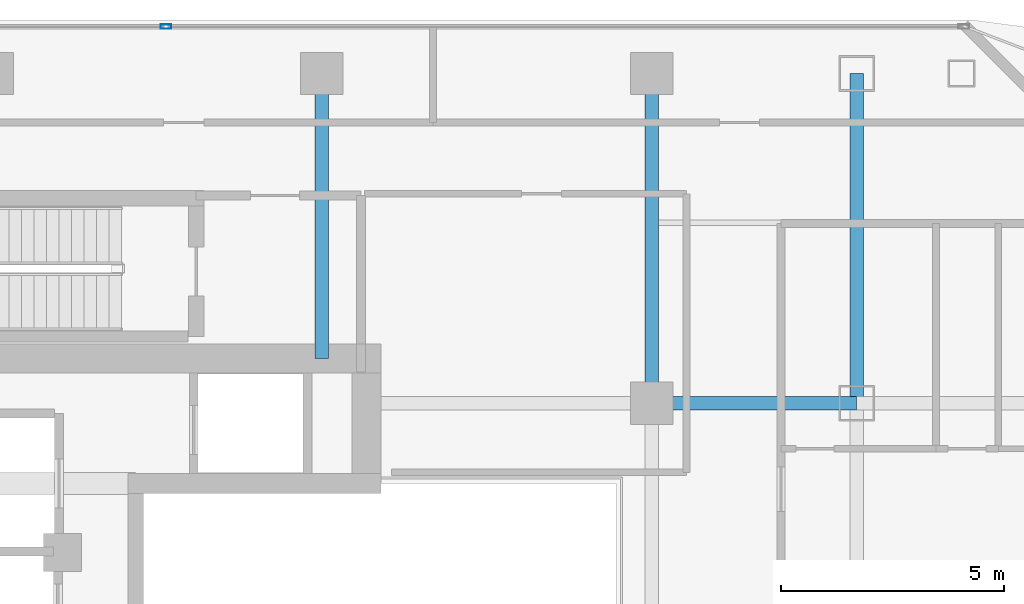
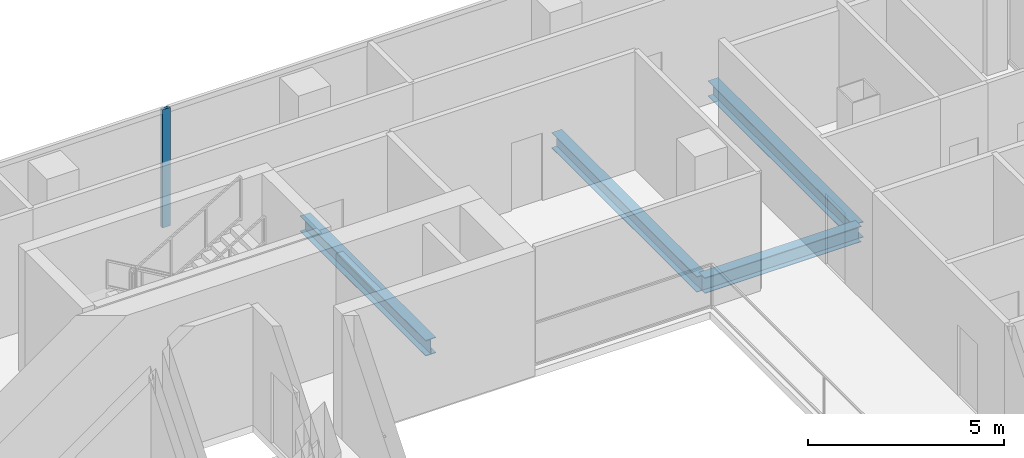
# One storey, part 15 of 27: 4 beams, 1 member, 1 element without a shape of its own.
"""IFC4 building model written with IfcOpenShell, lengths in metres."""

from ifc_helpers import new_model, si_unit, direction, frame, origin, origin_2d, place, context, subcontext, project, spatial, hollow_rectangle, i_section, extrude, material, layer, layer_set, material_profile, profile_set, type_object, element, aggregate, save


model = new_model("IFC4")

# Units and contexts
model_context = context("Model", 3, precision=1e-05, world=origin(), true_north=direction((0.0, 1.0)))
body_context = subcontext(model_context, "Body", "Model", "MODEL_VIEW")
ifc_project = project(units=[si_unit("LENGTHUNIT", "METRE"), si_unit("AREAUNIT", "SQUARE_METRE"), si_unit("VOLUMEUNIT", "CUBIC_METRE"), si_unit("PLANEANGLEUNIT", "RADIAN"), si_unit("MASSUNIT", "GRAM", prefix="KILO")], contexts=[model_context])

# Site, building, storey
site_placement = place(None, origin())
site = spatial("IfcSite", under=ifc_project, at=site_placement, CompositionType="ELEMENT")
building_placement = place(site_placement, origin())
building = spatial("IfcBuilding", under=site, at=building_placement, Name="Khorvyn Point Tower", CompositionType="ELEMENT")
storey_placement = place(building_placement, frame((0.0, 0.0, 243.0)))
storey = spatial("IfcBuildingStorey", under=building, at=storey_placement, Name="L59", CompositionType="ELEMENT", Elevation=243.0)

# Curtain wall, member
ifc_material_1 = material(Name="Anodised aluminium 6063-T6 and laminated Low-E glass", Category="aluminium")
ifc_layer = layer(ifc_material_1, 0.18994140625)
ifc_layer_set = layer_set([ifc_layer], Name="Stick-Built Acoustic Curtain Wall CW-SYS-03")
curtain_wall_type = type_object("IfcCurtainWallType", Name="Stick-Built Acoustic Curtain Wall CW-SYS-03", PredefinedType="NOTDEFINED", material=ifc_layer_set)
curtain_wall_placement = place(storey_placement, origin())
curtain_wall = element("IfcCurtainWall", 1, at=curtain_wall_placement, inside=storey, type_object=curtain_wall_type, Name="Curtain Wall", PredefinedType="NOTDEFINED")
ifc_material_2 = material(Name="Anodised aluminium 6063-T6", Category="aluminium")
ifc_material_profile_1 = material_profile(ifc_material_2, hollow_rectangle(XDim=0.10009765625, YDim=0.239990234375, WallThickness=0.0048828125, at=origin_2d()))
ifc_profile_set_1 = profile_set([ifc_material_profile_1], Name="Anodised aluminium 6063-T6 ALU-MUL-100x240")
member_type = type_object("IfcMemberType", Name="Anodised Aluminium 6063-T6 Mullion ALU-MUL-100x240", PredefinedType="MULLION", material=ifc_profile_set_1)
member_placement = place(storey_placement, frame((3.89990234375, 15.85009765625, 0.0), z_axis=(0.0, 0.0, 1.0), x_axis=(0.0, 1.0, 0.0)))
member = element("IfcMember", 2, at=member_placement, type_object=member_type, Name="Transom", PredefinedType="MULLION", context=body_context, shape_type="SweptSolid", body=[
    extrude(hollow_rectangle(XDim=0.10009765625, YDim=0.239990234375, WallThickness=0.0048828125, at=origin_2d()), origin(), (0.0, 0.0, 1.0), 3.679931640625),
])
aggregate(curtain_wall, [member])

# Beams
ifc_material_3 = material(Name="Steel S355", Category="steel")
ifc_material_profile_2 = material_profile(ifc_material_3, i_section(OverallWidth=0.300048828125, OverallDepth=0.488037109375, WebThickness=0.010986328125, FlangeThickness=0.01806640625, at=origin_2d()))
ifc_profile_set_2 = profile_set([ifc_material_profile_2], Name="Steel S355 H488x300x11x18")
beam_type = type_object("IfcBeamType", Name="Steel S355 Spandrel H488x300x11x18", PredefinedType="SPANDREL", material=ifc_profile_set_2)
beam_1_placement = place(storey_placement, frame((14.800048828125, 7.39990234375, -0.464111328125), z_axis=(1.0, 0.0, 0.0), x_axis=(0.0, 1.0, 0.0)))
element("IfcBeam", 3, at=beam_1_placement, inside=storey, type_object=beam_type, Name="Beam", PredefinedType="SPANDREL", context=body_context, shape_type="SweptSolid", body=[
    extrude(i_section(OverallWidth=0.300048828125, OverallDepth=0.488037109375, WebThickness=0.010986328125, FlangeThickness=0.01806640625, at=origin_2d()), origin(), (0.0, 0.0, 1.0), 4.599853515625),
])
beam_2_placement = place(storey_placement, frame((14.800048828125, 7.39990234375, -0.464111328125), z_axis=(0.0, 1.0, 0.0), x_axis=(-1.0, 0.0, 0.0)))
element("IfcBeam", 4, at=beam_2_placement, inside=storey, type_object=beam_type, Name="Beam", PredefinedType="SPANDREL", context=body_context, shape_type="SweptSolid", body=[
    extrude(i_section(OverallWidth=0.300048828125, OverallDepth=0.488037109375, WebThickness=0.010986328125, FlangeThickness=0.01806640625, at=origin_2d()), origin(), (0.0, 0.0, 1.0), 7.400146484375),
])
beam_3_placement = place(storey_placement, frame((7.39990234375, 8.39990234375, -0.464111328125), z_axis=(0.0, 1.0, 0.0), x_axis=(-1.0, 0.0, 0.0)))
element("IfcBeam", 5, at=beam_3_placement, inside=storey, type_object=beam_type, Name="Beam", PredefinedType="SPANDREL", context=body_context, shape_type="SweptSolid", body=[
    extrude(i_section(OverallWidth=0.300048828125, OverallDepth=0.488037109375, WebThickness=0.010986328125, FlangeThickness=0.01806640625, at=origin_2d()), origin(), (0.0, 0.0, 1.0), 6.400146484375),
])
beam_4_placement = place(storey_placement, frame((19.39990234375, 7.39990234375, -0.464111328125), z_axis=(0.0, 1.0, 0.0), x_axis=(-1.0, 0.0, 0.0)))
element("IfcBeam", 6, at=beam_4_placement, inside=storey, type_object=beam_type, Name="Beam", PredefinedType="SPANDREL", context=body_context, shape_type="SweptSolid", body=[
    extrude(i_section(OverallWidth=0.300048828125, OverallDepth=0.488037109375, WebThickness=0.010986328125, FlangeThickness=0.01806640625, at=origin_2d()), origin(), (0.0, 0.0, 1.0), 7.400146484375),
])

save(model, "model.ifc")
